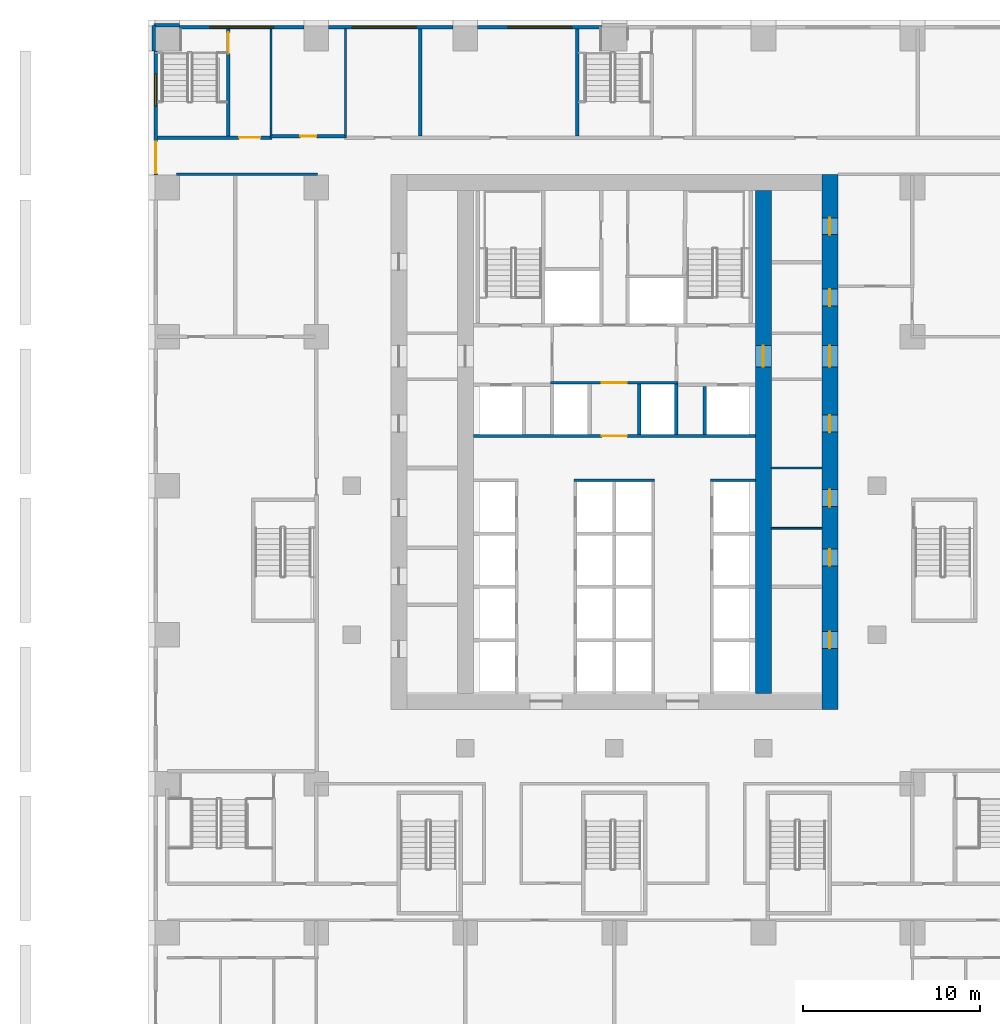
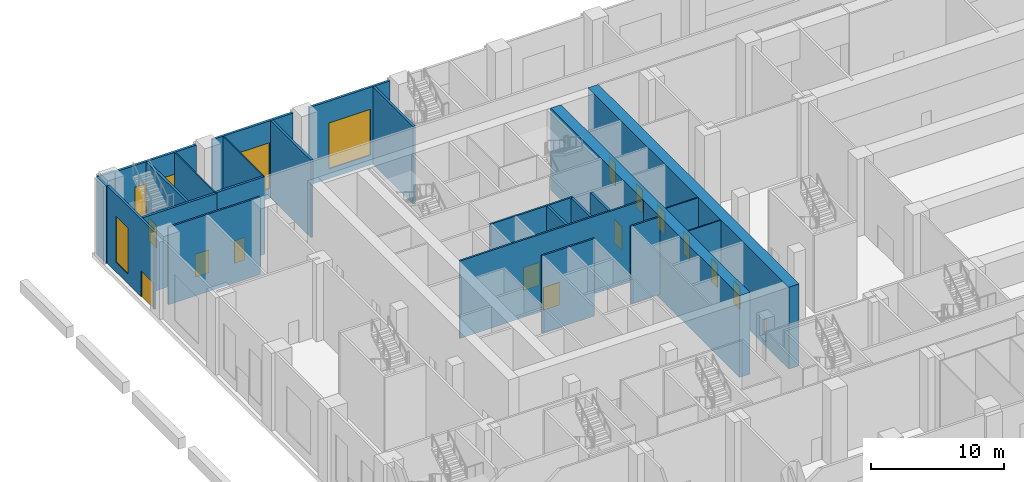
# One storey, part 11 of 29: 25 walls, 14 doors, 4 windows, 18 openings.
"""IFC4 building model written with IfcOpenShell, lengths in metres."""

from ifc_helpers import new_model, si_unit, direction, frame, frame_2d, origin, place, context, subcontext, project, spatial, rectangle, extrude, material, layer, layer_set, type_object, element, fill, save


model = new_model("IFC4")

# Units and contexts
model_context = context("Model", 3, precision=1e-05, world=origin(), true_north=direction((0.0, 1.0)))
body_context = subcontext(model_context, "Body", "Model", "MODEL_VIEW")
ifc_project = project(units=[si_unit("LENGTHUNIT", "METRE"), si_unit("AREAUNIT", "SQUARE_METRE"), si_unit("VOLUMEUNIT", "CUBIC_METRE"), si_unit("PLANEANGLEUNIT", "RADIAN"), si_unit("MASSUNIT", "GRAM", prefix="KILO")], contexts=[model_context])

# Site, building, storey
site_placement = place(None, origin())
site = spatial("IfcSite", under=ifc_project, at=site_placement, CompositionType="ELEMENT")
building_placement = place(site_placement, origin())
building = spatial("IfcBuilding", under=site, at=building_placement, Name="Vermilion Ogive Tower", CompositionType="ELEMENT")
storey_placement = place(building_placement, frame((0.0, 0.0, 12.5)))
storey = spatial("IfcBuildingStorey", under=building, at=storey_placement, Name="L02", CompositionType="ELEMENT", Elevation=12.5)

# Wall, openings, doors
ifc_material_1 = material(Name="Concrete B80", Category="concrete")
ifc_layer_1 = layer(ifc_material_1, 0.89990234375)
ifc_layer_set_1 = layer_set([ifc_layer_1], Name="Core wall 900 B80")
wall_type_1 = type_object("IfcWallType", Name="Core wall 900 B80", PredefinedType="SHEAR", material=ifc_layer_set_1)
wall_1_placement = place(storey_placement, frame((12.14990234375, -8.39990234375, -0.39990234375), z_axis=(0.0, 0.0, 1.0), x_axis=(0.0, 1.0, 0.0)))
wall_1 = element("IfcWall", 1, at=wall_1_placement, inside=storey, type_object=wall_type_1, Name="L02-CORE-E", PredefinedType="SHEAR", context=body_context, shape_type="SweptSolid", body=[
    extrude(rectangle(XDim=30.14990234375, YDim=0.89990234375, at=frame_2d((15.074951171875, 0.0))), origin(), (0.0, 0.0, 1.0), 7.5),
])
opening_1_placement = place(wall_1_placement, frame((3.425048828125, 0.0, 0.39990234375)))
opening_1 = element("IfcOpeningElement", 2, at=opening_1_placement, cuts=wall_1, Name="Opening DAJ012", PredefinedType="OPENING", context=body_context, shape_type="SweptSolid", body=[
    extrude(rectangle(XDim=0.949951171875, YDim=2.10009765625, at=frame_2d((0.47509765625, 1.050048828125))), frame((0.0, 0.4599609375, 0.0), z_axis=(0.0, -1.0, 0.0), x_axis=(1.0, 0.0, 0.0)), (0.0, 0.0, 1.0), 0.919921875),
])
opening_2_placement = place(wall_1_placement, frame((8.074951171875, 0.0, 0.39990234375)))
opening_2 = element("IfcOpeningElement", 3, at=opening_2_placement, cuts=wall_1, Name="Opening DAJ013", PredefinedType="OPENING", context=body_context, shape_type="SweptSolid", body=[
    extrude(rectangle(XDim=0.949951171875, YDim=2.10009765625, at=frame_2d((0.47509765625, 1.050048828125))), frame((0.0, 0.4599609375, 0.0), z_axis=(0.0, -1.0, 0.0), x_axis=(1.0, 0.0, 0.0)), (0.0, 0.0, 1.0), 0.919921875),
])
opening_3_placement = place(wall_1_placement, frame((11.425048828125, 0.0, 0.39990234375)))
opening_3 = element("IfcOpeningElement", 4, at=opening_3_placement, cuts=wall_1, Name="Opening DAJ014", PredefinedType="OPENING", context=body_context, shape_type="SweptSolid", body=[
    extrude(rectangle(XDim=0.949951171875, YDim=2.10009765625, at=frame_2d((0.47509765625, 1.050048828125))), frame((0.0, 0.4599609375, 0.0), z_axis=(0.0, -1.0, 0.0), x_axis=(1.0, 0.0, 0.0)), (0.0, 0.0, 1.0), 0.919921875),
])
opening_4_placement = place(wall_1_placement, frame((15.625, 0.0, 0.39990234375)))
opening_4 = element("IfcOpeningElement", 5, at=opening_4_placement, cuts=wall_1, Name="Opening DAJ015", PredefinedType="OPENING", context=body_context, shape_type="SweptSolid", body=[
    extrude(rectangle(XDim=0.949951171875, YDim=2.10009765625, at=frame_2d((0.47509765625, 1.050048828125))), frame((0.0, 0.4599609375, 0.0), z_axis=(0.0, -1.0, 0.0), x_axis=(1.0, 0.0, 0.0)), (0.0, 0.0, 1.0), 0.919921875),
])
opening_5_placement = place(wall_1_placement, frame((22.72509765625, 0.0, 0.39990234375)))
opening_5 = element("IfcOpeningElement", 6, at=opening_5_placement, cuts=wall_1, Name="Opening DAJ016", PredefinedType="OPENING", context=body_context, shape_type="SweptSolid", body=[
    extrude(rectangle(XDim=0.949951171875, YDim=2.10009765625, at=frame_2d((0.47509765625, 1.050048828125))), frame((0.0, 0.4599609375, 0.0), z_axis=(0.0, -1.0, 0.0), x_axis=(1.0, 0.0, 0.0)), (0.0, 0.0, 1.0), 0.919921875),
])
opening_6_placement = place(wall_1_placement, frame((26.75, 0.0, 0.39990234375)))
opening_6 = element("IfcOpeningElement", 7, at=opening_6_placement, cuts=wall_1, Name="Opening DAJ017", PredefinedType="OPENING", context=body_context, shape_type="SweptSolid", body=[
    extrude(rectangle(XDim=0.949951171875, YDim=2.10009765625, at=frame_2d((0.47509765625, 1.050048828125))), frame((0.0, 0.4599609375, 0.0), z_axis=(0.0, -1.0, 0.0), x_axis=(1.0, 0.0, 0.0)), (0.0, 0.0, 1.0), 0.919921875),
])
opening_7_placement = place(wall_1_placement, frame((19.300048828125, 0.0, 0.39990234375)))
opening_7 = element("IfcOpeningElement", 8, at=opening_7_placement, cuts=wall_1, Name="Opening DBA003", PredefinedType="OPENING", context=body_context, shape_type="SweptSolid", body=[
    extrude(rectangle(XDim=1.199951171875, YDim=2.10009765625, at=frame_2d((0.60009765625, 1.050048828125))), frame((0.0, 0.4599609375, 0.0), z_axis=(0.0, -1.0, 0.0), x_axis=(1.0, 0.0, 0.0)), (0.0, 0.0, 1.0), 0.919921875),
])
ifc_material_2 = material(Name="Timber door leaf", Category="wood")
door_type_1 = type_object("IfcDoorType", Name="Link door 1200 x 2100 FD60S", OperationType="SINGLE_SWING_LEFT", PredefinedType="DOOR", material=ifc_material_2)
door_1_placement = place(opening_7_placement, origin())
door_1 = element("IfcDoor", 9, at=door_1_placement, inside=storey, type_object=door_type_1, Name="L02-CKE-XL", OperationType="SINGLE_SWING_LEFT", OverallHeight=2.10009765625, OverallWidth=1.199951171875, PredefinedType="DOOR", context=body_context, shape_type="SweptSolid", body=[
    extrude(rectangle(XDim=1.199951171875, YDim=2.10009765625, at=frame_2d((0.60009765625, 1.050048828125))), frame((0.0, 0.02490234375, 0.0), z_axis=(0.0, -1.0, 0.0), x_axis=(1.0, 0.0, 0.0)), (0.0, 0.0, 1.0), 0.050048828125),
])
fill(opening_7, door_1)
ifc_material_3 = material(Name="Timber door leaf", Category="wood")
door_type_2 = type_object("IfcDoorType", Name="Service door 950 x 2100 FD60", OperationType="SINGLE_SWING_LEFT", PredefinedType="DOOR", material=ifc_material_3)
door_2_placement = place(opening_1_placement, origin())
door_2 = element("IfcDoor", 10, at=door_2_placement, inside=storey, type_object=door_type_2, Name="L02-CKE-XR0", OperationType="SINGLE_SWING_LEFT", OverallHeight=2.10009765625, OverallWidth=0.949951171875, PredefinedType="DOOR", context=body_context, shape_type="SweptSolid", body=[
    extrude(rectangle(XDim=0.949951171875, YDim=2.10009765625, at=frame_2d((0.47509765625, 1.050048828125))), frame((0.0, 0.02490234375, 0.0), z_axis=(0.0, -1.0, 0.0), x_axis=(1.0, 0.0, 0.0)), (0.0, 0.0, 1.0), 0.050048828125),
])
fill(opening_1, door_2)
door_3_placement = place(opening_2_placement, origin())
door_3 = element("IfcDoor", 11, at=door_3_placement, inside=storey, type_object=door_type_2, Name="L02-CKE-XR1", OperationType="SINGLE_SWING_LEFT", OverallHeight=2.10009765625, OverallWidth=0.949951171875, PredefinedType="DOOR", context=body_context, shape_type="SweptSolid", body=[
    extrude(rectangle(XDim=0.949951171875, YDim=2.10009765625, at=frame_2d((0.47509765625, 1.050048828125))), frame((0.0, 0.02490234375, 0.0), z_axis=(0.0, -1.0, 0.0), x_axis=(1.0, 0.0, 0.0)), (0.0, 0.0, 1.0), 0.050048828125),
])
fill(opening_2, door_3)
door_4_placement = place(opening_3_placement, origin())
door_4 = element("IfcDoor", 12, at=door_4_placement, inside=storey, type_object=door_type_2, Name="L02-CKE-XR2", OperationType="SINGLE_SWING_LEFT", OverallHeight=2.10009765625, OverallWidth=0.949951171875, PredefinedType="DOOR", context=body_context, shape_type="SweptSolid", body=[
    extrude(rectangle(XDim=0.949951171875, YDim=2.10009765625, at=frame_2d((0.47509765625, 1.050048828125))), frame((0.0, 0.02490234375, 0.0), z_axis=(0.0, -1.0, 0.0), x_axis=(1.0, 0.0, 0.0)), (0.0, 0.0, 1.0), 0.050048828125),
])
fill(opening_3, door_4)
door_5_placement = place(opening_4_placement, origin())
door_5 = element("IfcDoor", 13, at=door_5_placement, inside=storey, type_object=door_type_2, Name="L02-CKE-XR3", OperationType="SINGLE_SWING_LEFT", OverallHeight=2.10009765625, OverallWidth=0.949951171875, PredefinedType="DOOR", context=body_context, shape_type="SweptSolid", body=[
    extrude(rectangle(XDim=0.949951171875, YDim=2.10009765625, at=frame_2d((0.47509765625, 1.050048828125))), frame((0.0, 0.02490234375, 0.0), z_axis=(0.0, -1.0, 0.0), x_axis=(1.0, 0.0, 0.0)), (0.0, 0.0, 1.0), 0.050048828125),
])
fill(opening_4, door_5)
door_6_placement = place(opening_5_placement, origin())
door_6 = element("IfcDoor", 14, at=door_6_placement, inside=storey, type_object=door_type_2, Name="L02-CKE-XR4", OperationType="SINGLE_SWING_LEFT", OverallHeight=2.10009765625, OverallWidth=0.949951171875, PredefinedType="DOOR", context=body_context, shape_type="SweptSolid", body=[
    extrude(rectangle(XDim=0.949951171875, YDim=2.10009765625, at=frame_2d((0.47509765625, 1.050048828125))), frame((0.0, 0.02490234375, 0.0), z_axis=(0.0, -1.0, 0.0), x_axis=(1.0, 0.0, 0.0)), (0.0, 0.0, 1.0), 0.050048828125),
])
fill(opening_5, door_6)
door_7_placement = place(opening_6_placement, origin())
door_7 = element("IfcDoor", 15, at=door_7_placement, inside=storey, type_object=door_type_2, Name="L02-CKE-XR5", OperationType="SINGLE_SWING_LEFT", OverallHeight=2.10009765625, OverallWidth=0.949951171875, PredefinedType="DOOR", context=body_context, shape_type="SweptSolid", body=[
    extrude(rectangle(XDim=0.949951171875, YDim=2.10009765625, at=frame_2d((0.47509765625, 1.050048828125))), frame((0.0, 0.02490234375, 0.0), z_axis=(0.0, -1.0, 0.0), x_axis=(1.0, 0.0, 0.0)), (0.0, 0.0, 1.0), 0.050048828125),
])
fill(opening_6, door_7)

# Wall, opening, door
wall_2_placement = place(storey_placement, frame((8.39990234375, -7.5, -0.39990234375), z_axis=(0.0, 0.0, 1.0), x_axis=(0.0, 1.0, 0.0)))
wall_2 = element("IfcWall", 16, at=wall_2_placement, inside=storey, type_object=wall_type_1, Name="L02-CORE-WEB2", PredefinedType="SHEAR", context=body_context, shape_type="SweptSolid", body=[
    extrude(rectangle(XDim=28.35009765625, YDim=0.89990234375, at=frame_2d((14.175048828125, 0.0))), origin(), (0.0, 0.0, 1.0), 7.5),
])
opening_8_placement = place(wall_2_placement, frame((18.39990234375, 0.0, 0.39990234375)))
opening_8 = element("IfcOpeningElement", 17, at=opening_8_placement, cuts=wall_2, Name="Opening DBC003", PredefinedType="OPENING", context=body_context, shape_type="SweptSolid", body=[
    extrude(rectangle(XDim=1.199951171875, YDim=2.10009765625, at=frame_2d((0.60009765625, 1.050048828125))), frame((0.0, 0.4599609375, 0.0), z_axis=(0.0, -1.0, 0.0), x_axis=(1.0, 0.0, 0.0)), (0.0, 0.0, 1.0), 0.919921875),
])
door_8_placement = place(opening_8_placement, origin())
door_8 = element("IfcDoor", 18, at=door_8_placement, inside=storey, type_object=door_type_1, Name="L02-CKE-XW", OperationType="SINGLE_SWING_LEFT", OverallHeight=2.10009765625, OverallWidth=1.199951171875, PredefinedType="DOOR", context=body_context, shape_type="SweptSolid", body=[
    extrude(rectangle(XDim=1.199951171875, YDim=2.10009765625, at=frame_2d((0.60009765625, 1.050048828125))), frame((0.0, 0.02490234375, 0.0), z_axis=(0.0, -1.0, 0.0), x_axis=(1.0, 0.0, 0.0)), (0.0, 0.0, 1.0), 0.050048828125),
])
fill(opening_8, door_8)

# Walls
ifc_material_4 = material(Name="Gypsum board partition on steel studs", Category="steel")
ifc_layer_2 = layer(ifc_material_4, 0.10009765625)
ifc_layer_set_2 = layer_set([ifc_layer_2], Name="Partition 100 bath")
wall_type_2 = type_object("IfcWallType", Name="Partition 100 bath", PredefinedType="PARTITIONING", material=ifc_layer_set_2)
for number, where, z_axis, x_axis, name in (
    (19, (-19.35009765625, 23.925048828125, 0.0), (0.0, 0.0, 1.0), (0.0, 1.0, 0.0), "L02-FS-W-W042"),
    (20, (-15.14990234375, 23.925048828125, 0.0), (0.0, 0.0, 1.0), (0.0, 1.0, 0.0), "L02-FS-W-W049"),
):
    element("IfcWall", number, at=place(storey_placement, frame(where, z_axis=z_axis, x_axis=x_axis)), inside=storey, type_object=wall_type_2, Name=name, PredefinedType="PARTITIONING", context=body_context, shape_type="SweptSolid", body=[
        extrude(rectangle(XDim=6.02490234375, YDim=0.10009765625, at=frame_2d((3.012451171875, 0.0))), origin(), (0.0, 0.0, 1.0), 7.10009765625),
    ])
for number, where, z_axis, x_axis, name in (
    (21, (8.85107421875, 1.800048828125, 0.0), (0.0, 0.0, 1.0), (1.0, 0.0, 0.0), "L02-CKE-W-W002"),
    (22, (8.85107421875, 5.199951171875, 0.0), (0.0, 0.0, 1.0), (1.0, 0.0, 0.0), "L02-CKE-W-W003"),
):
    element("IfcWall", number, at=place(storey_placement, frame(where, z_axis=z_axis, x_axis=x_axis)), inside=storey, type_object=wall_type_2, Name=name, PredefinedType="PARTITIONING", context=body_context, shape_type="SweptSolid", body=[
        extrude(rectangle(XDim=2.847900390625, YDim=0.10009765625, at=frame_2d((1.423828125, 0.0))), origin(), (0.0, 0.0, 1.0), 7.10009765625),
    ])
ifc_material_5 = material(Name="Gypsum board partition on steel studs", Category="steel")
ifc_layer_3 = layer(ifc_material_5, 0.14990234375)
ifc_layer_set_3 = layer_set([ifc_layer_3], Name="Partition 150 corridor")
wall_type_3 = type_object("IfcWallType", Name="Partition 150 corridor", PredefinedType="PARTITIONING", material=ifc_layer_set_3)
wall_3_placement = place(storey_placement, frame((-24.675048828125, 21.75, 0.0), z_axis=(0.0, 0.0, 1.0), x_axis=(1.0, 0.0, 0.0)))
element("IfcWall", 23, at=wall_3_placement, inside=storey, type_object=wall_type_3, Name="L02-FS-W-W029", PredefinedType="PARTITIONING", context=body_context, shape_type="SweptSolid", body=[
    extrude(rectangle(XDim=7.949951171875, YDim=0.14990234375, at=frame_2d((3.97509765625, 0.0))), origin(), (0.0, 0.0, 1.0), 7.10009765625),
])
wall_4_placement = place(storey_placement, frame((-2.27490234375, 4.5, 0.0), z_axis=(0.0, 0.0, 1.0), x_axis=(1.0, 0.0, 0.0)))
element("IfcWall", 24, at=wall_4_placement, inside=storey, type_object=wall_type_3, Name="L02-CK-W-W011", PredefinedType="PARTITIONING", context=body_context, shape_type="SweptSolid", body=[
    extrude(rectangle(XDim=4.5498046875, YDim=0.14990234375, at=frame_2d((2.27490234375, 0.0))), origin(), (0.0, 0.0, 1.0), 7.10009765625),
])
wall_5_placement = place(storey_placement, frame((5.425048828125, 4.5, 0.0), z_axis=(0.0, 0.0, 1.0), x_axis=(1.0, 0.0, 0.0)))
element("IfcWall", 25, at=wall_5_placement, inside=storey, type_object=wall_type_3, Name="L02-CK-W-W012", PredefinedType="PARTITIONING", context=body_context, shape_type="SweptSolid", body=[
    extrude(rectangle(XDim=2.52392578125, YDim=0.14990234375, at=frame_2d((1.261962890625, 0.0))), origin(), (0.0, 0.0, 1.0), 7.10009765625),
])

# Wall, opening, door
wall_6_placement = place(storey_placement, frame((-7.948974609375, 7.0, 0.0), z_axis=(0.0, 0.0, 1.0), x_axis=(1.0, 0.0, 0.0)))
wall_6 = element("IfcWall", 26, at=wall_6_placement, inside=storey, type_object=wall_type_3, Name="L02-CK-W-W013", PredefinedType="PARTITIONING", context=body_context, shape_type="SweptSolid", body=[
    extrude(rectangle(XDim=15.89794921875, YDim=0.14990234375, at=frame_2d((7.948974609375, 0.0))), origin(), (0.0, 0.0, 1.0), 7.10009765625),
])
opening_9_placement = place(wall_6_placement, frame((7.2490234375, 0.0, 0.0)))
opening_9 = element("IfcOpeningElement", 27, at=opening_9_placement, cuts=wall_6, Name="Opening DAB057", PredefinedType="OPENING", context=body_context, shape_type="SweptSolid", body=[
    extrude(rectangle(XDim=1.39990234375, YDim=2.10009765625, at=frame_2d((0.699951171875, 1.050048828125))), frame((0.0, 0.0849609375, 0.0), z_axis=(0.0, -1.0, 0.0), x_axis=(1.0, 0.0, 0.0)), (0.0, 0.0, 1.0), 0.169921875),
])
ifc_material_6 = material(Name="Timber door leaf", Category="wood")
door_type_3 = type_object("IfcDoorType", Name="Lobby door 1400 x 2100 FD60S", OperationType="SINGLE_SWING_LEFT", PredefinedType="DOOR", material=ifc_material_6)
door_9_placement = place(opening_9_placement, origin())
door_9 = element("IfcDoor", 28, at=door_9_placement, inside=storey, type_object=door_type_3, Name="L02-CK-D-D015", OperationType="SINGLE_SWING_RIGHT", OverallHeight=2.10009765625, OverallWidth=1.39990234375, PredefinedType="DOOR", context=body_context, shape_type="SweptSolid", body=[
    extrude(rectangle(XDim=1.39990234375, YDim=2.10009765625, at=frame_2d((0.699951171875, 1.050048828125))), frame((0.0, 0.02490234375, 0.0), z_axis=(0.0, -1.0, 0.0), x_axis=(1.0, 0.0, 0.0)), (0.0, 0.0, 1.0), 0.050048828125),
])
fill(opening_9, door_9)

wall_7_placement = place(storey_placement, frame((-3.60009765625, 10.0, 0.0), z_axis=(0.0, 0.0, 1.0), x_axis=(1.0, 0.0, 0.0)))
wall_7 = element("IfcWall", 29, at=wall_7_placement, inside=storey, type_object=wall_type_3, Name="L02-CK-W-W016", PredefinedType="PARTITIONING", context=body_context, shape_type="SweptSolid", body=[
    extrude(rectangle(XDim=7.2001953125, YDim=0.14990234375, at=frame_2d((3.60009765625, 0.0))), origin(), (0.0, 0.0, 1.0), 7.10009765625),
])
opening_10_placement = place(wall_7_placement, frame((2.900146484375, 0.0, 0.0)))
opening_10 = element("IfcOpeningElement", 30, at=opening_10_placement, cuts=wall_7, Name="Opening DAB058", PredefinedType="OPENING", context=body_context, shape_type="SweptSolid", body=[
    extrude(rectangle(XDim=1.39990234375, YDim=2.10009765625, at=frame_2d((0.699951171875, 1.050048828125))), frame((0.0, 0.0849609375, 0.0), z_axis=(0.0, -1.0, 0.0), x_axis=(1.0, 0.0, 0.0)), (0.0, 0.0, 1.0), 0.169921875),
])
door_10_placement = place(opening_10_placement, origin())
door_10 = element("IfcDoor", 31, at=door_10_placement, inside=storey, type_object=door_type_3, Name="L02-CK-D-D016", OperationType="SINGLE_SWING_RIGHT", OverallHeight=2.10009765625, OverallWidth=1.39990234375, PredefinedType="DOOR", context=body_context, shape_type="SweptSolid", body=[
    extrude(rectangle(XDim=1.39990234375, YDim=2.10009765625, at=frame_2d((0.699951171875, 1.050048828125))), frame((0.0, 0.02490234375, 0.0), z_axis=(0.0, -1.0, 0.0), x_axis=(1.0, 0.0, 0.0)), (0.0, 0.0, 1.0), 0.050048828125),
])
fill(opening_10, door_10)

# Walls
ifc_material_7 = material(Name="Gypsum board partition on steel studs", Category="steel")
ifc_layer_4 = layer(ifc_material_7, 0.199951171875)
ifc_layer_set_4 = layer_set([ifc_layer_4], Name="Partition 200 party")
wall_type_4 = type_object("IfcWallType", Name="Partition 200 party", PredefinedType="PARTITIONING", material=ifc_layer_set_4)
wall_8_placement = place(storey_placement, frame((-10.949951171875, 23.925048828125, 0.0), z_axis=(0.0, 0.0, 1.0), x_axis=(0.0, 1.0, 0.0)))
element("IfcWall", 32, at=wall_8_placement, inside=storey, type_object=wall_type_4, Name="L02-FS-W-W050", PredefinedType="PARTITIONING", context=body_context, shape_type="SweptSolid", body=[
    extrude(rectangle(XDim=6.02490234375, YDim=0.199951171875, at=frame_2d((3.012451171875, 0.0))), origin(), (0.0, 0.0, 1.0), 7.10009765625),
])
for number, where, z_axis, x_axis, name in (
    (33, (1.39990234375, 7.074951171875, 0.0), (0.0, 0.0, 1.0), (0.0, 1.0, 0.0), "L02-CK-W-W033"),
    (34, (3.5, 7.074951171875, 0.0), (0.0, 0.0, 1.0), (0.0, 1.0, 0.0), "L02-CK-W-W035"),
):
    element("IfcWall", number, at=place(storey_placement, frame(where, z_axis=z_axis, x_axis=x_axis)), inside=storey, type_object=wall_type_4, Name=name, PredefinedType="PARTITIONING", context=body_context, shape_type="SweptSolid", body=[
        extrude(rectangle(XDim=2.85009765625, YDim=0.199951171875, at=frame_2d((1.425048828125, 0.0))), origin(), (0.0, 0.0, 1.0), 7.10009765625),
    ])
wall_9_placement = place(storey_placement, frame((5.10009765625, 7.074951171875, 0.0), z_axis=(0.0, 0.0, 1.0), x_axis=(0.0, 1.0, 0.0)))
element("IfcWall", 35, at=wall_9_placement, inside=storey, type_object=wall_type_4, Name="L02-CK-W-W039", PredefinedType="PARTITIONING", context=body_context, shape_type="SweptSolid", body=[
    extrude(rectangle(XDim=2.72509765625, YDim=0.199951171875, at=frame_2d((1.362548828125, 0.0))), origin(), (0.0, 0.0, 1.0), 7.10009765625),
])

# Wall, opening, door
ifc_material_8 = material(Name="Concrete B60", Category="concrete")
ifc_layer_5 = layer(ifc_material_8, 0.199951171875)
ifc_layer_set_5 = layer_set([ifc_layer_5], Name="Stair shaft wall 200 Concrete B60")
wall_type_5 = type_object("IfcWallType", Name="Stair shaft wall 200 Concrete B60", PredefinedType="SOLIDWALL", material=ifc_layer_set_5)
wall_10_placement = place(storey_placement, frame((-25.75, 23.8251953125, 0.0), z_axis=(0.0, 0.0, 1.0), x_axis=(1.0, 0.0, 0.0)))
wall_10 = element("IfcWall", 36, at=wall_10_placement, inside=storey, type_object=wall_type_5, Name="L02-FS-W-W035", PredefinedType="SOLIDWALL", context=body_context, shape_type="SweptSolid", body=[
    extrude(rectangle(XDim=6.449951171875, YDim=0.199951171875, at=frame_2d((3.22509765625, 0.0))), origin(), (0.0, 0.0, 1.0), 7.10009765625),
])
opening_11_placement = place(wall_10_placement, frame((4.60009765625, 0.0, 0.0)))
opening_11 = element("IfcOpeningElement", 37, at=opening_11_placement, cuts=wall_10, Name="Opening L02S010", PredefinedType="OPENING", context=body_context, shape_type="SweptSolid", body=[
    extrude(rectangle(XDim=1.199951171875, YDim=2.10009765625, at=frame_2d((0.60009765625, 1.050048828125))), frame((0.0, 0.10986328125, 0.0), z_axis=(0.0, -1.0, 0.0), x_axis=(1.0, 0.0, 0.0)), (0.0, 0.0, 1.0), 0.219970703125),
])
ifc_material_9 = material(Name="Timber door leaf", Category="wood")
door_type_4 = type_object("IfcDoorType", Name="Stair door 1200 x 2100 FD60S", OperationType="SINGLE_SWING_LEFT", PredefinedType="DOOR", material=ifc_material_9)
door_11_placement = place(opening_11_placement, origin())
door_11 = element("IfcDoor", 38, at=door_11_placement, inside=storey, type_object=door_type_4, Name="L02-FS-D-D010", OperationType="SINGLE_SWING_LEFT", OverallHeight=2.10009765625, OverallWidth=1.199951171875, PredefinedType="DOOR", context=body_context, shape_type="SweptSolid", body=[
    extrude(rectangle(XDim=1.199951171875, YDim=2.10009765625, at=frame_2d((0.60009765625, 1.050048828125))), frame((0.0, 0.02490234375, 0.0), z_axis=(0.0, -1.0, 0.0), x_axis=(1.0, 0.0, 0.0)), (0.0, 0.0, 1.0), 0.050048828125),
])
fill(opening_11, door_11)

wall_11_placement = place(storey_placement, frame((-19.39990234375, 23.900146484375, 0.0), z_axis=(0.0, 0.0, 1.0), x_axis=(1.0, 0.0, 0.0)))
wall_11 = element("IfcWall", 39, at=wall_11_placement, inside=storey, type_object=wall_type_5, Name="L02-FS-W-W036", PredefinedType="SOLIDWALL", context=body_context, shape_type="SweptSolid", body=[
    extrude(rectangle(XDim=4.2998046875, YDim=0.199951171875, at=frame_2d((2.14990234375, 0.0))), origin(), (0.0, 0.0, 1.0), 7.10009765625),
])
opening_12_placement = place(wall_11_placement, frame((1.699951171875, 0.0, 0.0)))
opening_12 = element("IfcOpeningElement", 40, at=opening_12_placement, cuts=wall_11, Name="Opening L02S043", PredefinedType="OPENING", context=body_context, shape_type="SweptSolid", body=[
    extrude(rectangle(XDim=0.89990234375, YDim=2.10009765625, at=frame_2d((0.449951171875, 1.050048828125))), frame((0.0, 0.10986328125, 0.0), z_axis=(0.0, -1.0, 0.0), x_axis=(1.0, 0.0, 0.0)), (0.0, 0.0, 1.0), 0.219970703125),
])
ifc_material_10 = material(Name="Timber door leaf", Category="wood")
door_type_5 = type_object("IfcDoorType", Name="Room door 900 x 2100 FD30", OperationType="SINGLE_SWING_LEFT", PredefinedType="DOOR", material=ifc_material_10)
door_12_placement = place(opening_12_placement, origin())
door_12 = element("IfcDoor", 41, at=door_12_placement, inside=storey, type_object=door_type_5, Name="L02-FS-D-D043", OperationType="SINGLE_SWING_RIGHT", OverallHeight=2.10009765625, OverallWidth=0.89990234375, PredefinedType="DOOR", context=body_context, shape_type="SweptSolid", body=[
    extrude(rectangle(XDim=0.89990234375, YDim=2.10009765625, at=frame_2d((0.449951171875, 1.050048828125))), frame((0.0, 0.02490234375, 0.0), z_axis=(0.0, -1.0, 0.0), x_axis=(1.0, 0.0, 0.0)), (0.0, 0.0, 1.0), 0.050048828125),
])
fill(opening_12, door_12)

wall_12_placement = place(storey_placement, frame((-21.75, 23.925048828125, 0.0), z_axis=(0.0, 0.0, 1.0), x_axis=(0.0, 1.0, 0.0)))
wall_12 = element("IfcWall", 42, at=wall_12_placement, inside=storey, type_object=wall_type_5, Name="L02-FS-W-W040", PredefinedType="SOLIDWALL", context=body_context, shape_type="SweptSolid", body=[
    extrude(rectangle(XDim=6.02490234375, YDim=0.199951171875, at=frame_2d((3.012451171875, 0.0))), origin(), (0.0, 0.0, 1.0), 7.10009765625),
])
opening_13_placement = place(wall_12_placement, frame((4.625, 0.0, 0.0)))
opening_13 = element("IfcOpeningElement", 43, at=opening_13_placement, cuts=wall_12, Name="Opening L02S001", PredefinedType="OPENING", context=body_context, shape_type="SweptSolid", body=[
    extrude(rectangle(XDim=1.199951171875, YDim=2.10009765625, at=frame_2d((0.60009765625, 1.050048828125))), frame((0.0, 0.10986328125, 0.0), z_axis=(0.0, -1.0, 0.0), x_axis=(1.0, 0.0, 0.0)), (0.0, 0.0, 1.0), 0.219970703125),
])
door_13_placement = place(opening_13_placement, origin())
door_13 = element("IfcDoor", 44, at=door_13_placement, inside=storey, type_object=door_type_4, Name="L02-FS-D-D001", OperationType="DOUBLE_DOOR_SINGLE_SWING", OverallHeight=2.10009765625, OverallWidth=1.199951171875, PredefinedType="DOOR", context=body_context, shape_type="SweptSolid", body=[
    extrude(rectangle(XDim=1.199951171875, YDim=2.10009765625, at=frame_2d((0.60009765625, 1.050048828125))), frame((0.0, 0.02490234375, 0.0), z_axis=(0.0, -1.0, 0.0), x_axis=(1.0, 0.0, 0.0)), (0.0, 0.0, 1.0), 0.050048828125),
])
fill(opening_13, door_13)

# Wall
wall_13_placement = place(storey_placement, frame((-2.10009765625, 23.925048828125, 0.0), z_axis=(0.0, 0.0, 1.0), x_axis=(0.0, 1.0, 0.0)))
element("IfcWall", 45, at=wall_13_placement, inside=storey, type_object=wall_type_5, Name="L02-FS-W-W054", PredefinedType="SOLIDWALL", context=body_context, shape_type="SweptSolid", body=[
    extrude(rectangle(XDim=6.02490234375, YDim=0.199951171875, at=frame_2d((3.012451171875, 0.0))), origin(), (0.0, 0.0, 1.0), 7.10009765625),
])

# Wall, opening, window
wall_14_placement = place(storey_placement, frame((-7.699951171875, 30.050048828125, 0.0), z_axis=(0.0, 0.0, 1.0), x_axis=(1.0, 0.0, 0.0)))
wall_14 = element("IfcWall", 46, at=wall_14_placement, inside=storey, type_object=wall_type_5, Name="Window wall N5", PredefinedType="SOLIDWALL", context=body_context, shape_type="SweptSolid", body=[
    extrude(rectangle(XDim=7.0, YDim=0.199951171875, at=frame_2d((3.5, 0.0))), origin(), (0.0, 0.0, 1.0), 7.10009765625),
])
opening_14_placement = place(wall_14_placement, frame((1.699951171875, 0.0, 0.89990234375)))
opening_14 = element("IfcOpeningElement", 47, at=opening_14_placement, cuts=wall_14, Name="Opening P-N5", PredefinedType="OPENING", context=body_context, shape_type="SweptSolid", body=[
    extrude(rectangle(XDim=3.60009765625, YDim=4.199951171875, at=frame_2d((1.800048828125, 2.10009765625))), frame((0.0, 0.10986328125, 0.0), z_axis=(0.0, -1.0, 0.0), x_axis=(1.0, 0.0, 0.0)), (0.0, 0.0, 1.0), 0.219970703125),
])
ifc_material_11 = material(Name="Aluminium framed double glazing", Category="aluminium")
window_type_1 = type_object("IfcWindowType", Name="Podium window P 3600x4200 sill 900", PartitioningType="SINGLE_PANEL", PredefinedType="WINDOW", material=ifc_material_11)
window_1_placement = place(opening_14_placement, origin())
window_1 = element("IfcWindow", 48, at=window_1_placement, inside=storey, type_object=window_type_1, Name="Window N5", OverallHeight=4.199951171875, OverallWidth=3.60009765625, PartitioningType="SINGLE_PANEL", PredefinedType="WINDOW", context=body_context, shape_type="SweptSolid", body=[
    extrude(rectangle(XDim=3.60009765625, YDim=4.199951171875, at=frame_2d((1.800048828125, 2.10009765625))), frame((0.0, 0.030029296875, 0.0), z_axis=(0.0, -1.0, 0.0), x_axis=(1.0, 0.0, 0.0)), (0.0, 0.0, 1.0), 0.06005859375),
])
fill(opening_14, window_1)

wall_15_placement = place(storey_placement, frame((-24.5, 30.050048828125, 0.0), z_axis=(0.0, 0.0, 1.0), x_axis=(1.0, 0.0, 0.0)))
wall_15 = element("IfcWall", 49, at=wall_15_placement, inside=storey, type_object=wall_type_5, Name="Window wall N7", PredefinedType="SOLIDWALL", context=body_context, shape_type="SweptSolid", body=[
    extrude(rectangle(XDim=7.0, YDim=0.199951171875, at=frame_2d((3.5, 0.0))), origin(), (0.0, 0.0, 1.0), 7.10009765625),
])
opening_15_placement = place(wall_15_placement, frame((1.699951171875, 0.0, 0.89990234375)))
opening_15 = element("IfcOpeningElement", 50, at=opening_15_placement, cuts=wall_15, Name="Opening P-N7", PredefinedType="OPENING", context=body_context, shape_type="SweptSolid", body=[
    extrude(rectangle(XDim=3.60009765625, YDim=4.199951171875, at=frame_2d((1.800048828125, 2.10009765625))), frame((0.0, 0.10986328125, 0.0), z_axis=(0.0, -1.0, 0.0), x_axis=(1.0, 0.0, 0.0)), (0.0, 0.0, 1.0), 0.219970703125),
])
window_2_placement = place(opening_15_placement, origin())
window_2 = element("IfcWindow", 51, at=window_2_placement, inside=storey, type_object=window_type_1, Name="Window N7", OverallHeight=4.199951171875, OverallWidth=3.60009765625, PartitioningType="SINGLE_PANEL", PredefinedType="WINDOW", context=body_context, shape_type="SweptSolid", body=[
    extrude(rectangle(XDim=3.60009765625, YDim=4.199951171875, at=frame_2d((1.800048828125, 2.10009765625))), frame((0.0, 0.030029296875, 0.0), z_axis=(0.0, -1.0, 0.0), x_axis=(1.0, 0.0, 0.0)), (0.0, 0.0, 1.0), 0.06005859375),
])
fill(opening_15, window_2)

# Wall, openings, window, door
wall_16_placement = place(storey_placement, frame((-25.85009765625, 21.699951171875, 0.0), z_axis=(0.0, 0.0, 1.0), x_axis=(0.0, 1.0, 0.0)))
wall_16 = element("IfcWall", 52, at=wall_16_placement, inside=storey, type_object=wall_type_5, Name="Window wall W1", PredefinedType="SOLIDWALL", context=body_context, shape_type="SweptSolid", body=[
    extrude(rectangle(XDim=7.0, YDim=0.199951171875, at=frame_2d((3.5, 0.0))), origin(), (0.0, 0.0, 1.0), 7.10009765625),
])
opening_16_placement = place(wall_16_placement, frame((0.10009765625, 0.0, 0.0)))
opening_16 = element("IfcOpeningElement", 53, at=opening_16_placement, cuts=wall_16, Name="Opening D2-W1", PredefinedType="OPENING", context=body_context, shape_type="SweptSolid", body=[
    extrude(rectangle(XDim=1.800048828125, YDim=2.39990234375, at=frame_2d((0.89990234375, 1.199951171875))), frame((0.0, 0.10986328125, 0.0), z_axis=(0.0, -1.0, 0.0), x_axis=(1.0, 0.0, 0.0)), (0.0, 0.0, 1.0), 0.219970703125),
])
opening_17_placement = place(wall_16_placement, frame((3.89990234375, 0.0, 0.89990234375)))
opening_17 = element("IfcOpeningElement", 54, at=opening_17_placement, cuts=wall_16, Name="Opening P-W1B", PredefinedType="OPENING", context=body_context, shape_type="SweptSolid", body=[
    extrude(rectangle(XDim=1.800048828125, YDim=4.199951171875, at=frame_2d((0.89990234375, 2.10009765625))), frame((0.0, 0.10986328125, 0.0), z_axis=(0.0, -1.0, 0.0), x_axis=(1.0, 0.0, 0.0)), (0.0, 0.0, 1.0), 0.219970703125),
])
ifc_material_12 = material(Name="Aluminium framed double glazing", Category="aluminium")
window_type_2 = type_object("IfcWindowType", Name="Podium window P 1800x4200 sill 900", PartitioningType="SINGLE_PANEL", PredefinedType="WINDOW", material=ifc_material_12)
window_3_placement = place(opening_17_placement, origin())
window_3 = element("IfcWindow", 55, at=window_3_placement, inside=storey, type_object=window_type_2, Name="Window W1B", OverallHeight=4.199951171875, OverallWidth=1.800048828125, PartitioningType="SINGLE_PANEL", PredefinedType="WINDOW", context=body_context, shape_type="SweptSolid", body=[
    extrude(rectangle(XDim=1.800048828125, YDim=4.199951171875, at=frame_2d((0.89990234375, 2.10009765625))), frame((0.0, 0.030029296875, 0.0), z_axis=(0.0, -1.0, 0.0), x_axis=(1.0, 0.0, 0.0)), (0.0, 0.0, 1.0), 0.06005859375),
])
fill(opening_17, window_3)
ifc_material_13 = material(Name="Aluminium framed glazed door", Category="aluminium")
door_type_6 = type_object("IfcDoorType", Name="Terrace door D2", OperationType="SINGLE_SWING_LEFT", PredefinedType="DOOR", material=ifc_material_13)
door_14_placement = place(opening_16_placement, origin())
door_14 = element("IfcDoor", 56, at=door_14_placement, inside=storey, type_object=door_type_6, Name="Terrace door W1", OperationType="SINGLE_SWING_LEFT", OverallHeight=2.39990234375, OverallWidth=1.800048828125, PredefinedType="DOOR", context=body_context, shape_type="SweptSolid", body=[
    extrude(rectangle(XDim=1.800048828125, YDim=2.39990234375, at=frame_2d((0.89990234375, 1.199951171875))), frame((0.0, 0.02490234375, 0.0), z_axis=(0.0, -1.0, 0.0), x_axis=(1.0, 0.0, 0.0)), (0.0, 0.0, 1.0), 0.050048828125),
])
fill(opening_16, door_14)

# Walls
for number, where, z_axis, x_axis, name in (
    (57, (-25.949951171875, 28.699951171875, 0.0), (0.0, 0.0, 1.0), (0.0, 1.0, 0.0), "L02-SW-R001-W1"),
    (58, (-25.949951171875, 30.14990234375, 0.0), (0.0, 0.0, 1.0), (1.0, 0.0, 0.0), "L02-SW-R001-N1"),
):
    element("IfcWall", number, at=place(storey_placement, frame(where, z_axis=z_axis, x_axis=x_axis)), inside=storey, type_object=wall_type_5, Name=name, PredefinedType="SOLIDWALL", context=body_context, shape_type="SweptSolid", body=[
        extrude(rectangle(XDim=1.449951171875, YDim=0.199951171875, at=frame_2d((0.72509765625, 0.0))), origin(), (0.0, 0.0, 1.0), 7.10009765625),
    ])

# Wall, opening, window
ifc_material_14 = material(Name="Aluminium window wall framing", Category="aluminium")
ifc_layer_6 = layer(ifc_material_14, 0.199951171875)
ifc_layer_set_6 = layer_set([ifc_layer_6], Name="Window wall")
wall_type_6 = type_object("IfcWallType", Name="Window wall", PredefinedType="STANDARD", material=ifc_layer_set_6)
wall_17_placement = place(storey_placement, frame((-9.10009765625, 30.050048828125, 0.0), z_axis=(0.0, 0.0, 1.0), x_axis=(-1.0, 0.0, 0.0)))
wall_17 = element("IfcWall", 59, at=wall_17_placement, inside=storey, type_object=wall_type_6, Name="Window wall N6", PredefinedType="STANDARD", context=body_context, shape_type="SweptSolid", body=[
    extrude(rectangle(XDim=7.0, YDim=0.199951171875, at=frame_2d((3.5, 0.0))), origin(), (0.0, 0.0, 1.0), 7.10009765625),
])
opening_18_placement = place(wall_17_placement, frame((2.070068359375, 0.0, 0.89990234375)))
opening_18 = element("IfcOpeningElement", 60, at=opening_18_placement, cuts=wall_17, Name="Opening P-N6", PredefinedType="OPENING", context=body_context, shape_type="SweptSolid", body=[
    extrude(rectangle(XDim=3.60009765625, YDim=4.199951171875, at=frame_2d((1.800048828125, 2.10009765625))), frame((0.0, 0.10986328125, 0.0), z_axis=(0.0, -1.0, 0.0), x_axis=(1.0, 0.0, 0.0)), (0.0, 0.0, 1.0), 0.219970703125),
])
window_4_placement = place(opening_18_placement, origin())
window_4 = element("IfcWindow", 61, at=window_4_placement, inside=storey, type_object=window_type_1, Name="Window N6", OverallHeight=4.199951171875, OverallWidth=3.60009765625, PartitioningType="SINGLE_PANEL", PredefinedType="WINDOW", context=body_context, shape_type="SweptSolid", body=[
    extrude(rectangle(XDim=3.60009765625, YDim=4.199951171875, at=frame_2d((1.800048828125, 2.10009765625))), frame((0.0, 0.030029296875, 0.0), z_axis=(0.0, -1.0, 0.0), x_axis=(1.0, 0.0, 0.0)), (0.0, 0.0, 1.0), 0.06005859375),
])
fill(opening_18, window_4)

save(model, "model.ifc")
